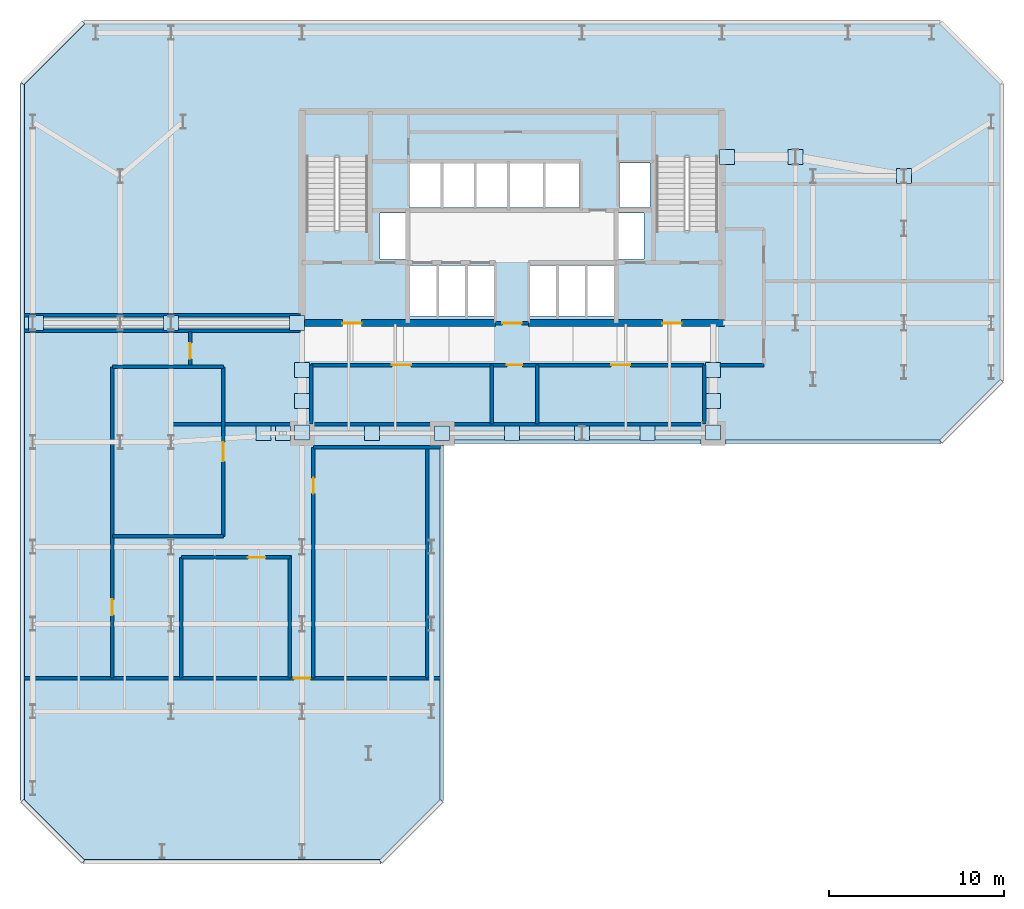
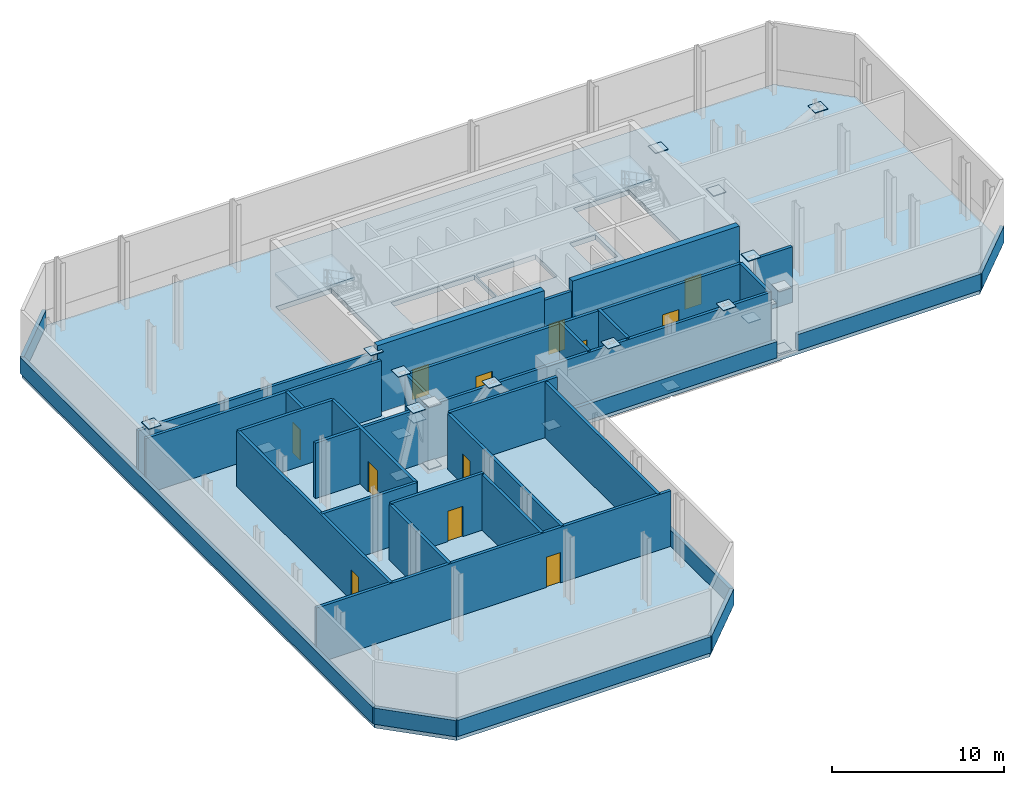
# One storey, part 4 of 8: 33 walls, 23 plates, 12 doors, 3 slabs, 12 openings, 2 elements without a shape of their own.
"""IFC4 building model written with IfcOpenShell, lengths in metres."""

from ifc_helpers import new_model, si_unit, direction, frame, frame_2d, origin, origin_2d, place, context, subcontext, project, spatial, polyline, rectangle, outline, extrude, material, layer, layer_set, type_object, element, fill, aggregate, save


model = new_model("IFC4")

# Units and contexts
model_context = context("Model", 3, precision=1e-05, world=origin(), true_north=direction((0.0, 1.0)))
body_context = subcontext(model_context, "Body", "Model", "MODEL_VIEW")
ifc_project = project(units=[si_unit("LENGTHUNIT", "METRE"), si_unit("AREAUNIT", "SQUARE_METRE"), si_unit("VOLUMEUNIT", "CUBIC_METRE"), si_unit("PLANEANGLEUNIT", "RADIAN"), si_unit("MASSUNIT", "GRAM", prefix="KILO")], contexts=[model_context])

# Site, building, storey
site_placement = place(None, origin())
site = spatial("IfcSite", under=ifc_project, at=site_placement, CompositionType="ELEMENT")
building_placement = place(site_placement, origin())
building = spatial("IfcBuilding", under=site, at=building_placement, Name="Catumbela Crestline Tower", CompositionType="ELEMENT")
storey_placement = place(building_placement, frame((0.0, 0.0, 79.8)))
storey = spatial("IfcBuildingStorey", under=building, at=storey_placement, Name="L20", CompositionType="ELEMENT", Elevation=79.8)

# Plates
ifc_material_1 = material(Name="Structural steel S460M", Category="steel")
ifc_layer_1 = layer(ifc_material_1, 0.04, Name="Structural steel S460M")
ifc_layer_set_1 = layer_set([ifc_layer_1], Name="Structural steel S460M")
plate_type = type_object("IfcPlateType", Name="GP-40", PredefinedType="USERDEFINED", material=ifc_layer_set_1)
for number, where, z_axis, x_axis, name in (
    (1, (16.0, 28.12, 4.4), (0.0, 0.0, 1.0), (1.0, 0.0, 0.0), "L20 Outrigger Node Gusset Plate OU-W1"),
    (2, (16.0, 24.55, 0.0), (0.0, 0.0, 1.0), (1.0, 0.0, 0.0), "L20 Outrigger Node Gusset Plate OU-W1-END"),
    (3, (16.0, 28.12, 0.0), (0.0, 0.0, 1.0), (1.0, 0.0, 0.0), "L20 Outrigger Node Gusset Plate OU-W2A"),
    (4, (16.0, 24.55, 4.4), (0.0, 0.0, 1.0), (1.0, 0.0, 0.0), "L20 Outrigger Node Gusset Plate OU-W2B-END"),
    (5, (39.5, 28.12, 4.4), (0.0, 0.0, 1.0), (1.0, 0.0, 0.0), "L20 Outrigger Node Gusset Plate OU-E1"),
    (6, (39.5, 24.55, 0.0), (0.0, 0.0, 1.0), (1.0, 0.0, 0.0), "L20 Outrigger Node Gusset Plate OU-E1-END"),
    (7, (39.5, 28.12, 0.0), (0.0, 0.0, 1.0), (1.0, 0.0, 0.0), "L20 Outrigger Node Gusset Plate OU-E2A"),
    (8, (39.5, 24.55, 4.4), (0.0, 0.0, 1.0), (1.0, 0.0, 0.0), "L20 Outrigger Node Gusset Plate OU-E2B-END"),
    (9, (15.7, 30.8, 4.4), (0.0, 0.0, 1.0), (1.0, 0.0, 0.0), "L20 Outrigger Node Gusset Plate OU-LW1"),
    (10, (8.5, 30.8, 0.0), (0.0, 0.0, 1.0), (1.0, 0.0, 0.0), "L20 Outrigger Node Gusset Plate OU-LW1-END"),
    (11, (0.78, 30.8, 4.4), (0.0, 0.0, 1.0), (1.0, 0.0, 0.0), "L20 Outrigger Node Gusset Plate OU-LW2-END"),
    (12, (40.3, 40.3, 4.4), (0.0, 0.0, 1.0), (1.0, 0.0, 0.0), "L20 Outrigger Node Gusset Plate OU-LE1"),
    (13, (44.2, 40.3, 0.0), (0.0, 0.0, 1.0), (1.0, 0.0, 0.0), "L20 Outrigger Node Gusset Plate OU-LE1-END"),
    (14, (50.4, 39.2, 4.4), (0.0, 0.0, 1.0), (1.0, 0.0, 0.0), "L20 Outrigger Node Gusset Plate OU-LE2-END"),
    (15, (13.8, 24.5, 0.0), (0.0, 0.0, 1.0), (1.0, 0.0, 0.0), "L20 Outrigger Node Gusset Plate BT-S1"),
    (16, (14.9, 24.5, 4.4), (0.0, 0.0, 1.0), (1.0, 0.0, 0.0), "L20 Outrigger Node Gusset Plate BT-S1-END"),
    (17, (20.0, 24.5, 4.4), (0.0, 0.0, 1.0), (1.0, 0.0, 0.0), "L20 Outrigger Node Gusset Plate BT-S3-END"),
    (18, (24.0, 24.5, 0.0), (0.0, 0.0, 1.0), (1.0, 0.0, 0.0), "L20 Outrigger Node Gusset Plate BT-S4-END"),
    (19, (28.0, 24.5, 4.4), (0.0, 0.0, 1.0), (1.0, 0.0, 0.0), "L20 Outrigger Node Gusset Plate BT-S5-END"),
    (20, (32.0, 24.5, 0.0), (0.0, 0.0, 1.0), (1.0, 0.0, 0.0), "L20 Outrigger Node Gusset Plate BT-S6-END"),
    (21, (35.75, 24.5, 4.4), (0.0, 0.0, 1.0), (1.0, 0.0, 0.0), "L20 Outrigger Node Gusset Plate BT-S7-END"),
    (22, (16.0, 26.335, 2.205), (0.0, 0.0, 1.0), (1.0, 0.0, 0.0), "L20 Outrigger X-Brace Crossing Gusset Plate WX"),
    (23, (39.5, 26.335, 2.205), (0.0, 0.0, 1.0), (1.0, 0.0, 0.0), "L20 Outrigger X-Brace Crossing Gusset Plate EX"),
):
    element("IfcPlate", number, at=place(storey_placement, frame(where, z_axis=z_axis, x_axis=x_axis)), inside=storey, type_object=plate_type, Name=name, ObjectType="GUSSET", PredefinedType="USERDEFINED", context=body_context, shape_type="SweptSolid", body=[
        extrude(rectangle(XDim=0.85, YDim=0.85, at=origin_2d()), origin(), (0.0, 0.0, 1.0), 0.04),
    ])

# Stair, slab
ifc_material_2 = material(Name="Concrete C45/55", Category="concrete")
stair_type = type_object("IfcStairType", Name="ST-DLG", PredefinedType="HALF_TURN_STAIR", material=ifc_material_2)
stair_1_placement = place(storey_placement, origin())
stair_1 = element("IfcStair", 24, at=stair_1_placement, inside=storey, type_object=stair_type, Name="L20 West Core Pressurised Exit Stair ST-01", PredefinedType="HALF_TURN_STAIR")
ifc_layer_2 = layer(ifc_material_2, 0.2, Name="Concrete C45/55")
ifc_layer_set_2 = layer_set([ifc_layer_2], Name="Concrete C45/55")
slab_type_1 = type_object("IfcSlabType", Name="SL-LND", PredefinedType="LANDING", material=ifc_layer_set_2)
slab_1_placement = place(storey_placement, frame((0.0, 0.0, 2.2)))
slab_1 = element("IfcSlab", 25, at=slab_1_placement, type_object=slab_type_1, Name="ST-01 landing 1", PredefinedType="LANDING", context=body_context, shape_type="SweptSolid", body=[
    extrude(outline(polyline([(19.91, 40.26), (19.91, 42.96), (16.09, 42.96), (16.09, 40.26), (19.91, 40.26)])), origin(), (0.0, 0.0, 1.0), 0.2),
])
aggregate(stair_1, [slab_1])

stair_2_placement = place(storey_placement, origin())
stair_2 = element("IfcStair", 26, at=stair_2_placement, inside=storey, type_object=stair_type, Name="L20 East Core Pressurised Exit Stair ST-02", PredefinedType="HALF_TURN_STAIR")
slab_2_placement = place(storey_placement, frame((0.0, 0.0, 2.2)))
slab_2 = element("IfcSlab", 27, at=slab_2_placement, type_object=slab_type_1, Name="ST-02 landing 1", PredefinedType="LANDING", context=body_context, shape_type="SweptSolid", body=[
    extrude(outline(polyline([(39.91, 40.26), (39.91, 42.96), (36.09, 42.96), (36.09, 40.26), (39.91, 40.26)])), origin(), (0.0, 0.0, 1.0), 0.2),
])
aggregate(stair_2, [slab_2])

# Slab
ifc_material_3 = material(Name="Concrete C50/60", Category="concrete")
ifc_layer_3 = layer(ifc_material_3, 0.35, Name="Concrete C50/60")
ifc_layer_set_3 = layer_set([ifc_layer_3], Name="Concrete C50/60")
slab_type_2 = type_object("IfcSlabType", Name="SL-350M", PredefinedType="FLOOR", material=ifc_layer_set_3)
slab_3_placement = place(storey_placement, frame((0.0, 0.0, -0.35)))
element("IfcSlab", 28, at=slab_3_placement, inside=storey, type_object=slab_type_2, Name="L20 Structural Floor Slab", PredefinedType="FLOOR", context=body_context, shape_type="SweptSolid", body=[
    extrude(outline(polyline([(3.5, 0.0), (20.5, 0.0), (24.0, 3.5), (24.0, 24.0), (52.5, 24.0), (56.0, 27.5), (56.0, 44.5), (52.5, 48.0), (3.5, 48.0), (0.0, 44.5), (0.0, 3.5), (3.5, 0.0)]), holes=[polyline([(16.13, 36.08), (19.87, 36.08), (19.87, 42.92), (16.13, 42.92), (16.13, 36.08)]), polyline([(36.13, 36.08), (39.87, 36.08), (39.87, 42.92), (36.13, 42.92), (36.13, 36.08)]), polyline([(22.15, 31.2), (27.0, 31.2), (27.0, 34.1), (22.15, 34.1), (22.15, 31.2)]), polyline([(29.0, 31.2), (33.85, 31.2), (33.85, 34.1), (29.0, 34.1), (29.0, 31.2)]), polyline([(22.15, 37.4), (27.75, 37.4), (27.75, 39.95), (22.15, 39.95), (22.15, 37.4)]), polyline([(27.85, 37.4), (31.85, 37.4), (31.85, 39.95), (27.85, 39.95), (27.85, 37.4)]), polyline([(20.45, 34.45), (21.95, 34.45), (21.95, 37.1), (20.45, 37.1), (20.45, 34.45)]), polyline([(34.05, 34.45), (35.55, 34.45), (35.55, 37.1), (34.05, 37.1), (34.05, 34.45)]), polyline([(34.15, 37.4), (35.9, 37.4), (35.9, 39.95), (34.15, 39.95), (34.15, 37.4)])]), origin(), (0.0, 0.0, 1.0), 0.35),
])

# Wall, opening, door
ifc_material_4 = material(Name="Concrete C60/75", Category="concrete")
ifc_layer_4 = layer(ifc_material_4, 0.4, Name="Concrete C60/75")
ifc_layer_set_4 = layer_set([ifc_layer_4], Name="Concrete C60/75")
wall_type_1 = type_object("IfcWallType", Name="CW-400A", PredefinedType="SHEAR", material=ifc_layer_set_4)
wall_1_placement = place(storey_placement, frame((15.85, 30.8, 0.0), z_axis=(0.0, 0.0, 1.0), x_axis=(1.0, 0.0, 0.0)))
wall_1 = element("IfcWall", 29, at=wall_1_placement, inside=storey, type_object=wall_type_1, Name="L20 Structural Core Shear Wall SW", PredefinedType="SHEAR", context=body_context, shape_type="SweptSolid", body=[
    extrude(rectangle(XDim=11.2, YDim=0.4, at=frame_2d((5.6, 0.0))), origin(), (0.0, 0.0, 1.0), 4.8),
])
opening_1_placement = place(wall_1_placement, frame((2.45, 0.0, 0.0)))
opening_1 = element("IfcOpeningElement", 30, at=opening_1_placement, cuts=wall_1, Name="Opening DF9-110", PredefinedType="OPENING", context=body_context, shape_type="SweptSolid", body=[
    extrude(rectangle(XDim=1.1, YDim=2.15, at=frame_2d((0.55, 1.075))), frame((0.0, 0.21, 0.0), z_axis=(0.0, -1.0, 0.0), x_axis=(1.0, 0.0, 0.0)), (0.0, 0.0, 1.0), 0.42),
])
ifc_material_5 = material(Name="Stainless steel EN 1.4401", Category="steel")
door_type_1 = type_object("IfcDoorType", Name="DF9-110", OperationType="NOTDEFINED", PredefinedType="DOOR", material=ifc_material_5)
door_1_placement = place(opening_1_placement, origin())
door_1 = element("IfcDoor", 31, at=door_1_placement, inside=storey, type_object=door_type_1, Name="L20 Interior Door DR-L20-FFW-S", OperationType="SINGLE_SWING_LEFT", OverallHeight=2.15, OverallWidth=1.1, PredefinedType="DOOR", context=body_context, shape_type="SweptSolid", body=[
    extrude(rectangle(XDim=1.1, YDim=2.15, at=frame_2d((0.55, 1.075))), frame((0.0, 0.025, 0.0), z_axis=(0.0, -1.0, 0.0), x_axis=(1.0, 0.0, 0.0)), (0.0, 0.0, 1.0), 0.05),
])
fill(opening_1, door_1)

wall_2_placement = place(storey_placement, frame((28.95, 30.8, 0.0), z_axis=(0.0, 0.0, 1.0), x_axis=(1.0, 0.0, 0.0)))
wall_2 = element("IfcWall", 32, at=wall_2_placement, inside=storey, type_object=wall_type_1, Name="L20 Structural Core Shear Wall SE", PredefinedType="SHEAR", context=body_context, shape_type="SweptSolid", body=[
    extrude(rectangle(XDim=11.2, YDim=0.4, at=frame_2d((5.6, 0.0))), origin(), (0.0, 0.0, 1.0), 4.8),
])
opening_2_placement = place(wall_2_placement, frame((7.65, 0.0, 0.0)))
opening_2 = element("IfcOpeningElement", 33, at=opening_2_placement, cuts=wall_2, Name="Opening DF9-110", PredefinedType="OPENING", context=body_context, shape_type="SweptSolid", body=[
    extrude(rectangle(XDim=1.1, YDim=2.15, at=frame_2d((0.55, 1.075))), frame((0.0, 0.21, 0.0), z_axis=(0.0, -1.0, 0.0), x_axis=(1.0, 0.0, 0.0)), (0.0, 0.0, 1.0), 0.42),
])
door_2_placement = place(opening_2_placement, origin())
door_2 = element("IfcDoor", 34, at=door_2_placement, inside=storey, type_object=door_type_1, Name="L20 Interior Door DR-L20-FFE-S", OperationType="SINGLE_SWING_RIGHT", OverallHeight=2.15, OverallWidth=1.1, PredefinedType="DOOR", context=body_context, shape_type="SweptSolid", body=[
    extrude(rectangle(XDim=1.1, YDim=2.15, at=frame_2d((0.55, 1.075))), frame((0.0, 0.025, 0.0), z_axis=(0.0, -1.0, 0.0), x_axis=(1.0, 0.0, 0.0)), (0.0, 0.0, 1.0), 0.05),
])
fill(opening_2, door_2)

ifc_material_6 = material(Name="Acoustic gypsum and mineral-wool partition")
ifc_layer_5 = layer(ifc_material_6, 0.2, Name="Acoustic gypsum and mineral-wool partition")
ifc_layer_set_5 = layer_set([ifc_layer_5], Name="Acoustic gypsum and mineral-wool partition")
wall_type_2 = type_object("IfcWallType", Name="WC-200", PredefinedType="PARTITIONING", material=ifc_layer_set_5)
wall_3_placement = place(storey_placement, frame((27.05, 30.8, 0.0), z_axis=(0.0, 0.0, 1.0), x_axis=(1.0, 0.0, 0.0)))
wall_3 = element("IfcWall", 35, at=wall_3_placement, inside=storey, type_object=wall_type_2, Name="L20 Interior Partition PW-L20-CLOBS", PredefinedType="PARTITIONING", context=body_context, shape_type="SweptSolid", body=[
    extrude(rectangle(XDim=1.9, YDim=0.2, at=frame_2d((0.95, 0.0))), origin(), (0.0, 0.0, 1.0), 4.02),
])
opening_3_placement = place(wall_3_placement, frame((0.4, 0.0, 0.0)))
opening_3 = element("IfcOpeningElement", 36, at=opening_3_placement, cuts=wall_3, Name="Opening DF9-110", PredefinedType="OPENING", context=body_context, shape_type="SweptSolid", body=[
    extrude(rectangle(XDim=1.1, YDim=2.15, at=frame_2d((0.55, 1.075))), frame((0.0, 0.11, 0.0), z_axis=(0.0, -1.0, 0.0), x_axis=(1.0, 0.0, 0.0)), (0.0, 0.0, 1.0), 0.22),
])
door_3_placement = place(opening_3_placement, origin())
door_3 = element("IfcDoor", 37, at=door_3_placement, inside=storey, type_object=door_type_1, Name="L20 Interior Door DR-L20-CLOBS", OperationType="SINGLE_SWING_LEFT", OverallHeight=2.15, OverallWidth=1.1, PredefinedType="DOOR", context=body_context, shape_type="SweptSolid", body=[
    extrude(rectangle(XDim=1.1, YDim=2.15, at=frame_2d((0.55, 1.075))), frame((0.0, 0.025, 0.0), z_axis=(0.0, -1.0, 0.0), x_axis=(1.0, 0.0, 0.0)), (0.0, 0.0, 1.0), 0.05),
])
fill(opening_3, door_3)

# Walls
wall_4_placement = place(storey_placement, frame((8.4, 25.02, 0.0), z_axis=(0.0, 0.0, 1.0), x_axis=(1.0, 0.0, 0.0)))
element("IfcWall", 38, at=wall_4_placement, inside=storey, type_object=wall_type_2, Name="L20 Interior Partition PW-L20-BTCAV-N", PredefinedType="PARTITIONING", context=body_context, shape_type="SweptSolid", body=[
    extrude(rectangle(XDim=30.6, YDim=0.2, at=frame_2d((15.3, 0.0))), origin(), (0.0, 0.0, 1.0), 3.94),
])
for number, where, z_axis, x_axis, name in (
    (39, (16.52, 25.02, 0.0), (0.0, 0.0, 1.0), (0.0, 1.0, 0.0), "L20 Interior Partition PW-L20-OUWCAV-E"),
    (40, (38.98, 25.02, 0.0), (0.0, 0.0, 1.0), (0.0, 1.0, 0.0), "L20 Interior Partition PW-L20-OUECAV-W"),
):
    element("IfcWall", number, at=place(storey_placement, frame(where, z_axis=z_axis, x_axis=x_axis)), inside=storey, type_object=wall_type_2, Name=name, PredefinedType="PARTITIONING", context=body_context, shape_type="SweptSolid", body=[
        extrude(rectangle(XDim=3.38, YDim=0.2, at=frame_2d((1.69, 0.0))), origin(), (0.0, 0.0, 1.0), 3.94),
    ])
for number, where, z_axis, x_axis, name in (
    (41, (0.1, 30.35, 0.0), (0.0, 0.0, 1.0), (1.0, 0.0, 0.0), "L20 Interior Partition PW-L20-OULWCAV-S"),
    (42, (0.1, 31.25, 0.0), (0.0, 0.0, 1.0), (1.0, 0.0, 0.0), "L20 Interior Partition PW-L20-OULWCAV-N"),
):
    element("IfcWall", number, at=place(storey_placement, frame(where, z_axis=z_axis, x_axis=x_axis)), inside=storey, type_object=wall_type_2, Name=name, PredefinedType="PARTITIONING", context=body_context, shape_type="SweptSolid", body=[
        extrude(rectangle(XDim=15.8, YDim=0.2, at=frame_2d((7.9, 0.0))), origin(), (0.0, 0.0, 1.0), 3.94),
    ])
for number, where, z_axis, x_axis, name in (
    (43, (26.85, 25.02, 0.0), (0.0, 0.0, 1.0), (0.0, 1.0, 0.0), "L20 Interior Partition PW-L20-REFW-E"),
    (44, (29.45, 25.02, 0.0), (0.0, 0.0, 1.0), (0.0, 1.0, 0.0), "L20 Interior Partition PW-L20-REFE-W"),
):
    element("IfcWall", number, at=place(storey_placement, frame(where, z_axis=z_axis, x_axis=x_axis)), inside=storey, type_object=wall_type_2, Name=name, PredefinedType="PARTITIONING", context=body_context, shape_type="SweptSolid", body=[
        extrude(rectangle(XDim=3.38, YDim=0.2, at=frame_2d((1.69, 0.0))), origin(), (0.0, 0.0, 1.0), 4.02),
    ])

# Wall, openings, doors
wall_5_placement = place(storey_placement, frame((16.52, 28.4, 0.0), z_axis=(0.0, 0.0, 1.0), x_axis=(1.0, 0.0, 0.0)))
wall_5 = element("IfcWall", 45, at=wall_5_placement, inside=storey, type_object=wall_type_2, Name="L20 Interior Partition PW-L20-REFW", PredefinedType="PARTITIONING", context=body_context, shape_type="SweptSolid", body=[
    extrude(rectangle(XDim=22.46, YDim=0.2, at=frame_2d((11.23, 0.0))), origin(), (0.0, 0.0, 1.0), 3.94),
])
opening_4_placement = place(wall_5_placement, frame((4.615, 0.0, 0.0)))
opening_4 = element("IfcOpeningElement", 46, at=opening_4_placement, cuts=wall_5, Name="Opening DF9-110", PredefinedType="OPENING", context=body_context, shape_type="SweptSolid", body=[
    extrude(rectangle(XDim=1.1, YDim=2.15, at=frame_2d((0.55, 1.075))), frame((0.0, 0.11, 0.0), z_axis=(0.0, -1.0, 0.0), x_axis=(1.0, 0.0, 0.0)), (0.0, 0.0, 1.0), 0.22),
])
opening_5_placement = place(wall_5_placement, frame((11.18, 0.0, 0.0)))
opening_5 = element("IfcOpeningElement", 47, at=opening_5_placement, cuts=wall_5, Name="Opening DF9-090", PredefinedType="OPENING", context=body_context, shape_type="SweptSolid", body=[
    extrude(rectangle(XDim=0.9, YDim=2.15, at=frame_2d((0.45, 1.075))), frame((0.0, 0.11, 0.0), z_axis=(0.0, -1.0, 0.0), x_axis=(1.0, 0.0, 0.0)), (0.0, 0.0, 1.0), 0.22),
])
opening_6_placement = place(wall_5_placement, frame((17.145, 0.0, 0.0)))
opening_6 = element("IfcOpeningElement", 48, at=opening_6_placement, cuts=wall_5, Name="Opening DF9-110", PredefinedType="OPENING", context=body_context, shape_type="SweptSolid", body=[
    extrude(rectangle(XDim=1.1, YDim=2.15, at=frame_2d((0.55, 1.075))), frame((0.0, 0.11, 0.0), z_axis=(0.0, -1.0, 0.0), x_axis=(1.0, 0.0, 0.0)), (0.0, 0.0, 1.0), 0.22),
])
door_type_2 = type_object("IfcDoorType", Name="DF9-090", OperationType="NOTDEFINED", PredefinedType="DOOR", material=ifc_material_5)
door_4_placement = place(opening_5_placement, origin())
door_4 = element("IfcDoor", 49, at=door_4_placement, inside=storey, type_object=door_type_2, Name="L20 Interior Door DR-L20-CHIL1", OperationType="SINGLE_SWING_LEFT", OverallHeight=2.15, OverallWidth=0.9, PredefinedType="DOOR", context=body_context, shape_type="SweptSolid", body=[
    extrude(rectangle(XDim=0.9, YDim=2.15, at=frame_2d((0.45, 1.075))), frame((0.0, 0.025, 0.0), z_axis=(0.0, -1.0, 0.0), x_axis=(1.0, 0.0, 0.0)), (0.0, 0.0, 1.0), 0.05),
])
fill(opening_5, door_4)
door_5_placement = place(opening_4_placement, origin())
door_5 = element("IfcDoor", 50, at=door_5_placement, inside=storey, type_object=door_type_1, Name="L20 Interior Door DR-L20-REFW", OperationType="SINGLE_SWING_LEFT", OverallHeight=2.15, OverallWidth=1.1, PredefinedType="DOOR", context=body_context, shape_type="SweptSolid", body=[
    extrude(rectangle(XDim=1.1, YDim=2.15, at=frame_2d((0.55, 1.075))), frame((0.0, 0.025, 0.0), z_axis=(0.0, -1.0, 0.0), x_axis=(1.0, 0.0, 0.0)), (0.0, 0.0, 1.0), 0.05),
])
fill(opening_4, door_5)
door_6_placement = place(opening_6_placement, origin())
door_6 = element("IfcDoor", 51, at=door_6_placement, inside=storey, type_object=door_type_1, Name="L20 Interior Door DR-L20-REFE", OperationType="SINGLE_SWING_RIGHT", OverallHeight=2.15, OverallWidth=1.1, PredefinedType="DOOR", context=body_context, shape_type="SweptSolid", body=[
    extrude(rectangle(XDim=1.1, YDim=2.15, at=frame_2d((0.55, 1.075))), frame((0.0, 0.025, 0.0), z_axis=(0.0, -1.0, 0.0), x_axis=(1.0, 0.0, 0.0)), (0.0, 0.0, 1.0), 0.05),
])
fill(opening_6, door_6)

# Walls
for number, where, z_axis, x_axis, name in (
    (52, (5.15, 28.3, 0.0), (0.0, 0.0, 1.0), (1.0, 0.0, 0.0), "L20 Interior Partition PW-L20-REFS1-N"),
    (53, (5.15, 18.6, 0.0), (0.0, 0.0, 1.0), (1.0, 0.0, 0.0), "L20 Interior Partition PW-L20-REFS1-S"),
):
    element("IfcWall", number, at=place(storey_placement, frame(where, z_axis=z_axis, x_axis=x_axis)), inside=storey, type_object=wall_type_2, Name=name, PredefinedType="PARTITIONING", context=body_context, shape_type="SweptSolid", body=[
        extrude(rectangle(XDim=6.35, YDim=0.2, at=frame_2d((3.175, 0.0))), origin(), (0.0, 0.0, 1.0), 3.94),
    ])

# Wall, opening, door
wall_6_placement = place(storey_placement, frame((5.15, 10.5, 0.0), z_axis=(0.0, 0.0, 1.0), x_axis=(0.0, 1.0, 0.0)))
wall_6 = element("IfcWall", 54, at=wall_6_placement, inside=storey, type_object=wall_type_2, Name="L20 Interior Partition PW-L20-REFS1-W", PredefinedType="PARTITIONING", context=body_context, shape_type="SweptSolid", body=[
    extrude(rectangle(XDim=17.8, YDim=0.2, at=frame_2d((8.9, 0.0))), origin(), (0.0, 0.0, 1.0), 3.94),
])
opening_7_placement = place(wall_6_placement, frame((3.6, 0.0, 0.0)))
opening_7 = element("IfcOpeningElement", 55, at=opening_7_placement, cuts=wall_6, Name="Opening DF9-090", PredefinedType="OPENING", context=body_context, shape_type="SweptSolid", body=[
    extrude(rectangle(XDim=0.9, YDim=2.15, at=frame_2d((0.45, 1.075))), frame((0.0, 0.11, 0.0), z_axis=(0.0, -1.0, 0.0), x_axis=(1.0, 0.0, 0.0)), (0.0, 0.0, 1.0), 0.22),
])
door_7_placement = place(opening_7_placement, origin())
door_7 = element("IfcDoor", 56, at=door_7_placement, inside=storey, type_object=door_type_2, Name="L20 Interior Door DR-L20-WPL1", OperationType="SINGLE_SWING_LEFT", OverallHeight=2.15, OverallWidth=0.9, PredefinedType="DOOR", context=body_context, shape_type="SweptSolid", body=[
    extrude(rectangle(XDim=0.9, YDim=2.15, at=frame_2d((0.45, 1.075))), frame((0.0, 0.025, 0.0), z_axis=(0.0, -1.0, 0.0), x_axis=(1.0, 0.0, 0.0)), (0.0, 0.0, 1.0), 0.05),
])
fill(opening_7, door_7)

wall_7_placement = place(storey_placement, frame((11.5, 18.6, 0.0), z_axis=(0.0, 0.0, 1.0), x_axis=(0.0, 1.0, 0.0)))
wall_7 = element("IfcWall", 57, at=wall_7_placement, inside=storey, type_object=wall_type_2, Name="L20 Interior Partition PW-L20-REFS1-E", PredefinedType="PARTITIONING", context=body_context, shape_type="SweptSolid", body=[
    extrude(rectangle(XDim=9.7, YDim=0.2, at=frame_2d((4.85, 0.0))), origin(), (0.0, 0.0, 1.0), 3.94),
])
opening_8_placement = place(wall_7_placement, frame((4.3, 0.0, 0.0)))
opening_8 = element("IfcOpeningElement", 58, at=opening_8_placement, cuts=wall_7, Name="Opening DF9-110", PredefinedType="OPENING", context=body_context, shape_type="SweptSolid", body=[
    extrude(rectangle(XDim=1.1, YDim=2.15, at=frame_2d((0.55, 1.075))), frame((0.0, 0.11, 0.0), z_axis=(0.0, -1.0, 0.0), x_axis=(1.0, 0.0, 0.0)), (0.0, 0.0, 1.0), 0.22),
])
door_8_placement = place(opening_8_placement, origin())
door_8 = element("IfcDoor", 59, at=door_8_placement, inside=storey, type_object=door_type_1, Name="L20 Interior Door DR-L20-REFS1", OperationType="SINGLE_SWING_LEFT", OverallHeight=2.15, OverallWidth=1.1, PredefinedType="DOOR", context=body_context, shape_type="SweptSolid", body=[
    extrude(rectangle(XDim=1.1, YDim=2.15, at=frame_2d((0.55, 1.075))), frame((0.0, 0.025, 0.0), z_axis=(0.0, -1.0, 0.0), x_axis=(1.0, 0.0, 0.0)), (0.0, 0.0, 1.0), 0.05),
])
fill(opening_8, door_8)

# Walls
wall_8_placement = place(storey_placement, frame((16.65, 23.7, 0.0), z_axis=(0.0, 0.0, 1.0), x_axis=(1.0, 0.0, 0.0)))
element("IfcWall", 60, at=wall_8_placement, inside=storey, type_object=wall_type_2, Name="L20 Interior Partition PW-L20-REFS2-N", PredefinedType="PARTITIONING", context=body_context, shape_type="SweptSolid", body=[
    extrude(rectangle(XDim=7.25, YDim=0.2, at=frame_2d((3.625, 0.0))), origin(), (0.0, 0.0, 1.0), 4.02),
])
wall_9_placement = place(storey_placement, frame((23.15, 10.5, 0.0), z_axis=(0.0, 0.0, 1.0), x_axis=(0.0, 1.0, 0.0)))
element("IfcWall", 61, at=wall_9_placement, inside=storey, type_object=wall_type_2, Name="L20 Interior Partition PW-L20-REFS2-E", PredefinedType="PARTITIONING", context=body_context, shape_type="SweptSolid", body=[
    extrude(rectangle(XDim=13.2, YDim=0.2, at=frame_2d((6.6, 0.0))), origin(), (0.0, 0.0, 1.0), 3.94),
])

# Wall, opening, door
wall_10_placement = place(storey_placement, frame((0.1, 10.5, 0.0), z_axis=(0.0, 0.0, 1.0), x_axis=(1.0, 0.0, 0.0)))
wall_10 = element("IfcWall", 62, at=wall_10_placement, inside=storey, type_object=wall_type_2, Name="L20 Interior Partition PW-L20-REFS2-S", PredefinedType="PARTITIONING", context=body_context, shape_type="SweptSolid", body=[
    extrude(rectangle(XDim=23.8, YDim=0.2, at=frame_2d((11.9, 0.0))), origin(), (0.0, 0.0, 1.0), 3.94),
])
opening_9_placement = place(wall_10_placement, frame((15.425, 0.0, 0.0)))
opening_9 = element("IfcOpeningElement", 63, at=opening_9_placement, cuts=wall_10, Name="Opening DF6-095", PredefinedType="OPENING", context=body_context, shape_type="SweptSolid", body=[
    extrude(rectangle(XDim=0.95, YDim=2.15, at=frame_2d((0.475, 1.075))), frame((0.0, 0.11, 0.0), z_axis=(0.0, -1.0, 0.0), x_axis=(1.0, 0.0, 0.0)), (0.0, 0.0, 1.0), 0.22),
])
ifc_material_7 = material(Name="Aluminium alloy AW-6060-T66", Category="aluminium")
door_type_3 = type_object("IfcDoorType", Name="DF6-095", OperationType="NOTDEFINED", PredefinedType="DOOR", material=ifc_material_7)
door_9_placement = place(opening_9_placement, origin())
door_9 = element("IfcDoor", 64, at=door_9_placement, inside=storey, type_object=door_type_3, Name="L20 Interior Door DR-L20-TRFM-ENT", OperationType="SINGLE_SWING_RIGHT", OverallHeight=2.15, OverallWidth=0.95, PredefinedType="DOOR", context=body_context, shape_type="SweptSolid", body=[
    extrude(rectangle(XDim=0.95, YDim=2.15, at=frame_2d((0.475, 1.075))), frame((0.0, 0.025, 0.0), z_axis=(0.0, -1.0, 0.0), x_axis=(1.0, 0.0, 0.0)), (0.0, 0.0, 1.0), 0.05),
])
fill(opening_9, door_9)

wall_11_placement = place(storey_placement, frame((16.65, 10.5, 0.0), z_axis=(0.0, 0.0, 1.0), x_axis=(0.0, 1.0, 0.0)))
wall_11 = element("IfcWall", 65, at=wall_11_placement, inside=storey, type_object=wall_type_2, Name="L20 Interior Partition PW-L20-REFS2-W1", PredefinedType="PARTITIONING", context=body_context, shape_type="SweptSolid", body=[
    extrude(rectangle(XDim=13.2, YDim=0.2, at=frame_2d((6.6, 0.0))), origin(), (0.0, 0.0, 1.0), 3.94),
])
opening_10_placement = place(wall_11_placement, frame((10.55, 0.0, 0.0)))
opening_10 = element("IfcOpeningElement", 66, at=opening_10_placement, cuts=wall_11, Name="Opening DF9-090", PredefinedType="OPENING", context=body_context, shape_type="SweptSolid", body=[
    extrude(rectangle(XDim=0.9, YDim=2.15, at=frame_2d((0.45, 1.075))), frame((0.0, 0.11, 0.0), z_axis=(0.0, -1.0, 0.0), x_axis=(1.0, 0.0, 0.0)), (0.0, 0.0, 1.0), 0.22),
])
door_10_placement = place(opening_10_placement, origin())
door_10 = element("IfcDoor", 67, at=door_10_placement, inside=storey, type_object=door_type_2, Name="L20 Interior Door DR-L20-REFS2", OperationType="SINGLE_SWING_RIGHT", OverallHeight=2.15, OverallWidth=0.9, PredefinedType="DOOR", context=body_context, shape_type="SweptSolid", body=[
    extrude(rectangle(XDim=0.9, YDim=2.15, at=frame_2d((0.45, 1.075))), frame((0.0, 0.025, 0.0), z_axis=(0.0, -1.0, 0.0), x_axis=(1.0, 0.0, 0.0)), (0.0, 0.0, 1.0), 0.05),
])
fill(opening_10, door_10)

# Walls
wall_12_placement = place(storey_placement, frame((9.1, 10.5, 0.0), z_axis=(0.0, 0.0, 1.0), x_axis=(0.0, 1.0, 0.0)))
element("IfcWall", 68, at=wall_12_placement, inside=storey, type_object=wall_type_2, Name="L20 Interior Partition PW-L20-REFS3-W", PredefinedType="PARTITIONING", context=body_context, shape_type="SweptSolid", body=[
    extrude(rectangle(XDim=6.9, YDim=0.2, at=frame_2d((3.45, 0.0))), origin(), (0.0, 0.0, 1.0), 3.94),
])
wall_13_placement = place(storey_placement, frame((15.3, 10.5, 0.0), z_axis=(0.0, 0.0, 1.0), x_axis=(0.0, 1.0, 0.0)))
element("IfcWall", 69, at=wall_13_placement, inside=storey, type_object=wall_type_2, Name="L20 Interior Partition PW-L20-REFS3-E", PredefinedType="PARTITIONING", context=body_context, shape_type="SweptSolid", body=[
    extrude(rectangle(XDim=7.0, YDim=0.2, at=frame_2d((3.5, 0.0))), origin(), (0.0, 0.0, 1.0), 3.94),
])

# Wall, opening, door
wall_14_placement = place(storey_placement, frame((9.1, 17.4, 0.0), z_axis=(0.0, 0.0, 1.0), x_axis=(1.0, 0.0, 0.0)))
wall_14 = element("IfcWall", 70, at=wall_14_placement, inside=storey, type_object=wall_type_2, Name="L20 Interior Partition PW-L20-REFS3-N", PredefinedType="PARTITIONING", context=body_context, shape_type="SweptSolid", body=[
    extrude(rectangle(XDim=6.2, YDim=0.2, at=frame_2d((3.1, 0.0))), origin(), (0.0, 0.0, 1.0), 4.02),
])
opening_11_placement = place(wall_14_placement, frame((3.8, 0.0, 0.0)))
opening_11 = element("IfcOpeningElement", 71, at=opening_11_placement, cuts=wall_14, Name="Opening DF9-100", PredefinedType="OPENING", context=body_context, shape_type="SweptSolid", body=[
    extrude(rectangle(XDim=1.0, YDim=2.15, at=frame_2d((0.5, 1.075))), frame((0.0, 0.11, 0.0), z_axis=(0.0, -1.0, 0.0), x_axis=(1.0, 0.0, 0.0)), (0.0, 0.0, 1.0), 0.22),
])
door_type_4 = type_object("IfcDoorType", Name="DF9-100", OperationType="NOTDEFINED", PredefinedType="DOOR", material=ifc_material_5)
door_11_placement = place(opening_11_placement, origin())
door_11 = element("IfcDoor", 72, at=door_11_placement, inside=storey, type_object=door_type_4, Name="L20 Interior Door DR-L20-REFS3", OperationType="SINGLE_SWING_RIGHT", OverallHeight=2.15, OverallWidth=1.0, PredefinedType="DOOR", context=body_context, shape_type="SweptSolid", body=[
    extrude(rectangle(XDim=1.0, YDim=2.15, at=frame_2d((0.5, 1.075))), frame((0.0, 0.025, 0.0), z_axis=(0.0, -1.0, 0.0), x_axis=(1.0, 0.0, 0.0)), (0.0, 0.0, 1.0), 0.05),
])
fill(opening_11, door_11)

# Wall
wall_15_placement = place(storey_placement, frame((39.9, 28.4, 0.0), z_axis=(0.0, 0.0, 1.0), x_axis=(1.0, 0.0, 0.0)))
element("IfcWall", 73, at=wall_15_placement, inside=storey, type_object=wall_type_2, Name="L20 Interior Partition PW-L20-SWGS", PredefinedType="PARTITIONING", context=body_context, shape_type="SweptSolid", body=[
    extrude(rectangle(XDim=2.5, YDim=0.2, at=frame_2d((1.25, 0.0))), origin(), (0.0, 0.0, 1.0), 3.94),
])

# Wall, opening, door
wall_16_placement = place(storey_placement, frame((9.6, 28.4, 0.0), z_axis=(0.0, 0.0, 1.0), x_axis=(0.0, 1.0, 0.0)))
wall_16 = element("IfcWall", 74, at=wall_16_placement, inside=storey, type_object=wall_type_2, Name="L20 Interior Partition PW-L20-NWP", PredefinedType="PARTITIONING", context=body_context, shape_type="SweptSolid", body=[
    extrude(rectangle(XDim=1.92, YDim=0.2, at=frame_2d((0.96, 0.0))), origin(), (0.0, 0.0, 1.0), 3.94),
])
opening_12_placement = place(wall_16_placement, frame((0.348, 0.0, 0.0)))
opening_12 = element("IfcOpeningElement", 75, at=opening_12_placement, cuts=wall_16, Name="Opening DF9-090", PredefinedType="OPENING", context=body_context, shape_type="SweptSolid", body=[
    extrude(rectangle(XDim=0.9, YDim=2.15, at=frame_2d((0.45, 1.075))), frame((0.0, 0.11, 0.0), z_axis=(0.0, -1.0, 0.0), x_axis=(1.0, 0.0, 0.0)), (0.0, 0.0, 1.0), 0.22),
])
door_12_placement = place(opening_12_placement, origin())
door_12 = element("IfcDoor", 76, at=door_12_placement, inside=storey, type_object=door_type_2, Name="L20 Interior Door DR-L20-NWP", OperationType="SINGLE_SWING_LEFT", OverallHeight=2.15, OverallWidth=0.9, PredefinedType="DOOR", context=body_context, shape_type="SweptSolid", body=[
    extrude(rectangle(XDim=0.9, YDim=2.15, at=frame_2d((0.45, 1.075))), frame((0.0, 0.025, 0.0), z_axis=(0.0, -1.0, 0.0), x_axis=(1.0, 0.0, 0.0)), (0.0, 0.0, 1.0), 0.05),
])
fill(opening_12, door_12)

# Walls
ifc_material_8 = material(Name="Angolan grey-ochre granite", Category="masonry")
ifc_layer_6 = layer(ifc_material_8, 0.25, Name="Angolan grey-ochre granite")
ifc_layer_set_6 = layer_set([ifc_layer_6], Name="Angolan grey-ochre granite")
wall_type_3 = type_object("IfcWallType", Name="WE-250", PredefinedType="STANDARD", material=ifc_layer_set_6)
wall_17_placement = place(storey_placement, frame((3.5, 0.0, 0.0), z_axis=(0.0, 0.0, 1.0), x_axis=(1.0, 0.0, 0.0)))
element("IfcWall", 77, at=wall_17_placement, inside=storey, type_object=wall_type_3, Name="L20 Mechanical Spandrel Upstand Wall 0-1", PredefinedType="STANDARD", context=body_context, shape_type="SweptSolid", body=[
    extrude(rectangle(XDim=17.0, YDim=0.25, at=frame_2d((8.5, 0.0))), origin(), (0.0, 0.0, 1.0), 1.15),
])
wall_18_placement = place(storey_placement, frame((20.5, 0.0, 0.0), z_axis=(0.0, 0.0, 1.0), x_axis=(0.707106781187, 0.707106781187, 0.0)))
element("IfcWall", 78, at=wall_18_placement, inside=storey, type_object=wall_type_3, Name="L20 Mechanical Spandrel Upstand Wall 1-1", PredefinedType="STANDARD", context=body_context, shape_type="SweptSolid", body=[
    extrude(rectangle(XDim=4.9497, YDim=0.25, at=frame_2d((2.4748, 0.0))), origin(), (0.0, 0.0, 1.0), 1.15),
])
wall_19_placement = place(storey_placement, frame((24.0, 3.5, 0.0), z_axis=(0.0, 0.0, 1.0), x_axis=(0.0, 1.0, 0.0)))
element("IfcWall", 79, at=wall_19_placement, inside=storey, type_object=wall_type_3, Name="L20 Mechanical Spandrel Upstand Wall 2-1", PredefinedType="STANDARD", context=body_context, shape_type="SweptSolid", body=[
    extrude(rectangle(XDim=20.3, YDim=0.25, at=frame_2d((10.15, 0.0))), origin(), (0.0, 0.0, 1.0), 1.15),
])
wall_20_placement = place(storey_placement, frame((24.7, 24.0, 0.0), z_axis=(0.0, 0.0, 1.0), x_axis=(1.0, 0.0, 0.0)))
element("IfcWall", 80, at=wall_20_placement, inside=storey, type_object=wall_type_3, Name="L20 Mechanical Spandrel Upstand Wall 3-1", PredefinedType="STANDARD", context=body_context, shape_type="SweptSolid", body=[
    extrude(rectangle(XDim=14.1, YDim=0.25, at=frame_2d((7.05, 0.0))), origin(), (0.0, 0.0, 1.0), 1.15),
])
wall_21_placement = place(storey_placement, frame((40.2, 24.0, 0.0), z_axis=(0.0, 0.0, 1.0), x_axis=(1.0, 0.0, 0.0)))
element("IfcWall", 81, at=wall_21_placement, inside=storey, type_object=wall_type_3, Name="L20 Mechanical Spandrel Upstand Wall 3-2", PredefinedType="STANDARD", context=body_context, shape_type="SweptSolid", body=[
    extrude(rectangle(XDim=12.3, YDim=0.25, at=frame_2d((6.15, 0.0))), origin(), (0.0, 0.0, 1.0), 1.15),
])
for number, where, z_axis, x_axis, name in (
    (82, (52.5, 24.0, 0.0), (0.0, 0.0, 1.0), (0.707106781187, 0.707106781187, 0.0), "L20 Mechanical Spandrel Upstand Wall 4-1"),
    (83, (3.5, 48.0, 0.0), (0.0, 0.0, 1.0), (-0.707106781187, -0.707106781187, 0.0), "L20 Mechanical Spandrel Upstand Wall 8-1"),
):
    element("IfcWall", number, at=place(storey_placement, frame(where, z_axis=z_axis, x_axis=x_axis)), inside=storey, type_object=wall_type_3, Name=name, PredefinedType="STANDARD", context=body_context, shape_type="SweptSolid", body=[
        extrude(rectangle(XDim=4.9497, YDim=0.25, at=frame_2d((2.4748, 0.0))), origin(), (0.0, 0.0, 1.0), 1.15),
    ])
wall_22_placement = place(storey_placement, frame((0.0, 44.5, 0.0), z_axis=(0.0, 0.0, 1.0), x_axis=(0.0, -1.0, 0.0)))
element("IfcWall", 84, at=wall_22_placement, inside=storey, type_object=wall_type_3, Name="L20 Mechanical Spandrel Upstand Wall 9-1", PredefinedType="STANDARD", context=body_context, shape_type="SweptSolid", body=[
    extrude(rectangle(XDim=41.0, YDim=0.25, at=frame_2d((20.5, 0.0))), origin(), (0.0, 0.0, 1.0), 1.15),
])
wall_23_placement = place(storey_placement, frame((0.0, 3.5, 0.0), z_axis=(0.0, 0.0, 1.0), x_axis=(0.707106781187, -0.707106781187, 0.0)))
element("IfcWall", 85, at=wall_23_placement, inside=storey, type_object=wall_type_3, Name="L20 Mechanical Spandrel Upstand Wall 10-1", PredefinedType="STANDARD", context=body_context, shape_type="SweptSolid", body=[
    extrude(rectangle(XDim=4.9497, YDim=0.25, at=frame_2d((2.4748, 0.0))), origin(), (0.0, 0.0, 1.0), 1.15),
])

save(model, "model.ifc")
